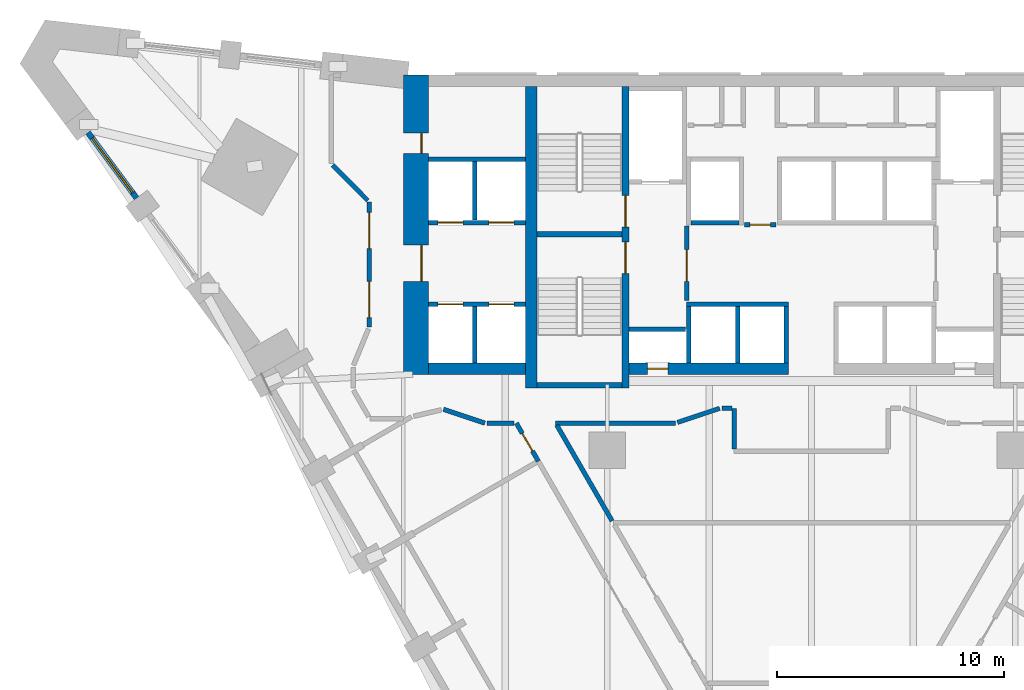
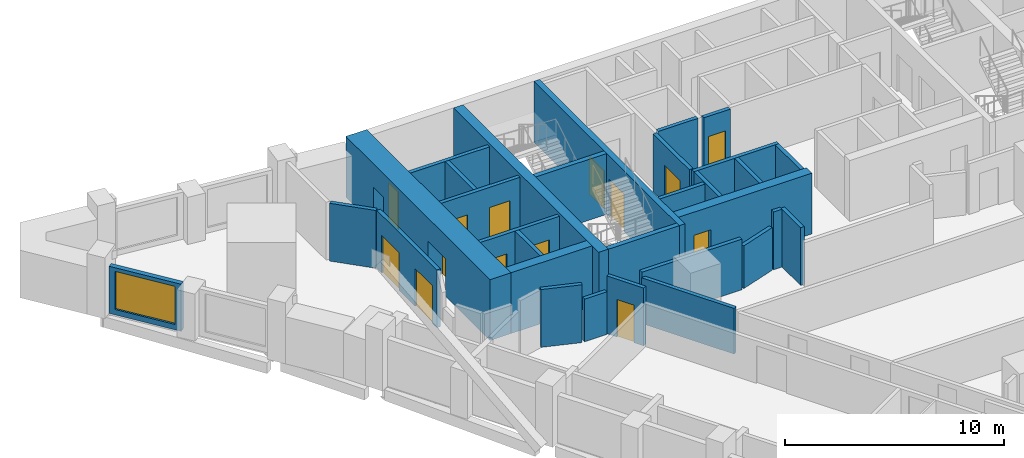
# One storey, part 6 of 11: 31 walls, 14 doors, 1 window, 15 openings.
"""IFC4 building model written with IfcOpenShell, lengths in metres."""

from ifc_helpers import new_model, si_unit, direction, frame, frame_2d, origin, place, context, subcontext, project, spatial, rectangle, extrude, material, layer, layer_set, type_object, element, fill, save


model = new_model("IFC4")

# Units and contexts
model_context = context("Model", 3, precision=1e-05, world=origin(), true_north=direction((0.0, 1.0)))
body_context = subcontext(model_context, "Body", "Model", "MODEL_VIEW")
ifc_project = project(units=[si_unit("LENGTHUNIT", "METRE"), si_unit("AREAUNIT", "SQUARE_METRE"), si_unit("VOLUMEUNIT", "CUBIC_METRE"), si_unit("PLANEANGLEUNIT", "RADIAN"), si_unit("MASSUNIT", "GRAM", prefix="KILO")], contexts=[model_context])

# Site, building, storey
site_placement = place(None, origin())
site = spatial("IfcSite", under=ifc_project, at=site_placement, CompositionType="ELEMENT")
building_placement = place(site_placement, origin())
building = spatial("IfcBuilding", under=site, at=building_placement, Name="Calabash Gate Tower", CompositionType="ELEMENT")
storey_placement = place(building_placement, frame((0.0, 0.0, 73.199951171875)))
storey = spatial("IfcBuildingStorey", under=building, at=storey_placement, Name="L14", CompositionType="ELEMENT", Elevation=73.199951171875)

# Wall, openings, doors
ifc_material_1 = material(Name="Concrete C80/95", Category="concrete")
ifc_layer_1 = layer(ifc_material_1, 1.10009765625)
ifc_layer_set_1 = layer_set([ifc_layer_1], Name="Core wall 1100 Concrete C80/95")
wall_type_1 = type_object("IfcWallType", Name="Core wall 1100 Concrete C80/95", PredefinedType="SHEAR", material=ifc_layer_set_1)
wall_1_placement = place(storey_placement, frame((-17.449951171875, 5.8525390625, 0.0), z_axis=(0.0, 0.0, 1.0), x_axis=(0.0, 1.0, 0.0)))
wall_1 = element("IfcWall", 1, at=wall_1_placement, inside=storey, type_object=wall_type_1, Name="Core wall Z1-ENDW L14", PredefinedType="SHEAR", context=body_context, shape_type="SweptSolid", body=[
    extrude(rectangle(XDim=13.199951171875, YDim=1.10009765625, at=frame_2d((6.60009765625, 0.0))), origin(), (0.0, 0.0, 1.0), 3.400146484375),
])
opening_1_placement = place(wall_1_placement, frame((4.10009765625, 0.0, 0.0)))
opening_1 = element("IfcOpeningElement", 2, at=opening_1_placement, cuts=wall_1, Name="Opening H3-003", PredefinedType="OPENING", context=body_context, shape_type="SweptSolid", body=[
    extrude(rectangle(XDim=1.60009765625, YDim=2.10009765625, at=frame_2d((0.800048828125, 1.050048828125))), frame((0.0, 0.56005859375, 0.0), z_axis=(0.0, -1.0, 0.0), x_axis=(1.0, 0.0, 0.0)), (0.0, 0.0, 1.0), 1.1201171875),
])
opening_2_placement = place(wall_1_placement, frame((9.75, 0.0, 0.0)))
opening_2 = element("IfcOpeningElement", 3, at=opening_2_placement, cuts=wall_1, Name="Opening H3-004", PredefinedType="OPENING", context=body_context, shape_type="SweptSolid", body=[
    extrude(rectangle(XDim=0.89990234375, YDim=2.10009765625, at=frame_2d((0.449951171875, 1.050048828125))), frame((0.0, 0.56005859375, 0.0), z_axis=(0.0, -1.0, 0.0), x_axis=(1.0, 0.0, 0.0)), (0.0, 0.0, 1.0), 1.1201171875),
])
ifc_material_2 = material(Name="Steel fire door set with fire-resisting glazing", Category="steel")
door_type_1 = type_object("IfcDoorType", Name="Double fire door D08 1600x2100 FD60", OperationType="DOUBLE_DOOR_SINGLE_SWING", PredefinedType="DOOR", material=ifc_material_2)
door_1_placement = place(opening_1_placement, origin())
door_1 = element("IfcDoor", 4, at=door_1_placement, inside=storey, type_object=door_type_1, Name="Low-rise Lift Lobby W door", OperationType="DOUBLE_DOOR_SINGLE_SWING", OverallHeight=2.10009765625, OverallWidth=1.60009765625, PredefinedType="DOOR", context=body_context, shape_type="SweptSolid", body=[
    extrude(rectangle(XDim=1.60009765625, YDim=2.10009765625, at=frame_2d((0.800048828125, 1.050048828125))), frame((0.0, -0.22509765625, 0.0), z_axis=(0.0, -1.0, 0.0), x_axis=(1.0, 0.0, 0.0)), (0.0, 0.0, 1.0), 0.050048828125),
])
fill(opening_1, door_1)
ifc_material_3 = material(Name="Steel fire door set with fire-resisting glazing", Category="steel")
door_type_2 = type_object("IfcDoorType", Name="Fire door D06 900x2100 FD60", OperationType="NOTDEFINED", PredefinedType="DOOR", material=ifc_material_3)
door_2_placement = place(opening_2_placement, origin())
door_2 = element("IfcDoor", 5, at=door_2_placement, inside=storey, type_object=door_type_2, Name="Hotel Pantry door", OperationType="SINGLE_SWING_RIGHT", OverallHeight=2.10009765625, OverallWidth=0.89990234375, PredefinedType="DOOR", context=body_context, shape_type="SweptSolid", body=[
    extrude(rectangle(XDim=0.89990234375, YDim=2.10009765625, at=frame_2d((0.449951171875, 1.050048828125))), frame((0.0, -0.22509765625, 0.0), z_axis=(0.0, -1.0, 0.0), x_axis=(1.0, 0.0, 0.0)), (0.0, 0.0, 1.0), 0.050048828125),
])
fill(opening_2, door_2)

# Walls
ifc_material_4 = material(Name="Concrete C80/95", Category="concrete")
ifc_layer_2 = layer(ifc_material_4, 0.25)
ifc_layer_set_2 = layer_set([ifc_layer_2], Name="Core wall 250 Concrete C80/95")
wall_type_2 = type_object("IfcWallType", Name="Core wall 250 Concrete C80/95", PredefinedType="SHEAR", material=ifc_layer_set_2)
for number, where, z_axis, x_axis, name in (
    (6, (-12.10009765625, 12.027587890625, 0.0), (0.0, 0.0, 1.0), (1.0, 0.0, 0.0), "Core wall Z1-MIDW L14"),
    (7, (-12.10009765625, 5.377685546875, 0.0), (0.0, 0.0, 1.0), (1.0, 0.0, 0.0), "Core wall Z1-SSW L14"),
):
    element("IfcWall", number, at=place(storey_placement, frame(where, z_axis=z_axis, x_axis=x_axis)), inside=storey, type_object=wall_type_2, Name=name, PredefinedType="SHEAR", context=body_context, shape_type="SweptSolid", body=[
        extrude(rectangle(XDim=3.75, YDim=0.25, at=frame_2d((1.875, 0.0))), origin(), (0.0, 0.0, 1.0), 3.400146484375),
    ])

# Wall, openings, doors
ifc_material_5 = material(Name="Concrete C80/95", Category="concrete")
ifc_layer_3 = layer(ifc_material_5, 0.300048828125)
ifc_layer_set_3 = layer_set([ifc_layer_3], Name="Core wall 300 Concrete C80/95")
wall_type_3 = type_object("IfcWallType", Name="Core wall 300 Concrete C80/95", PredefinedType="SHEAR", material=ifc_layer_set_3)
wall_2_placement = place(storey_placement, frame((-8.199951171875, 5.252685546875, 0.0), z_axis=(0.0, 0.0, 1.0), x_axis=(0.0, 1.0, 0.0)))
wall_2 = element("IfcWall", 8, at=wall_2_placement, inside=storey, type_object=wall_type_3, Name="Core wall Z1-PARTW L14", PredefinedType="SHEAR", context=body_context, shape_type="SweptSolid", body=[
    extrude(rectangle(XDim=13.2998046875, YDim=0.300048828125, at=frame_2d((6.64990234375, 0.0))), origin(), (0.0, 0.0, 1.0), 3.400146484375),
])
opening_3_placement = place(wall_2_placement, frame((7.10009765625, 0.0, 0.0)))
opening_3 = element("IfcOpeningElement", 9, at=opening_3_placement, cuts=wall_2, Name="Opening H3-015", PredefinedType="OPENING", context=body_context, shape_type="SweptSolid", body=[
    extrude(rectangle(XDim=1.39990234375, YDim=2.10009765625, at=frame_2d((0.699951171875, 1.050048828125))), frame((0.0, 0.159912109375, 0.0), z_axis=(0.0, -1.0, 0.0), x_axis=(1.0, 0.0, 0.0)), (0.0, 0.0, 1.0), 0.320068359375),
])
opening_4_placement = place(wall_2_placement, frame((5.050048828125, 0.0, 0.0)))
opening_4 = element("IfcOpeningElement", 10, at=opening_4_placement, cuts=wall_2, Name="Opening H3-016", PredefinedType="OPENING", context=body_context, shape_type="SweptSolid", body=[
    extrude(rectangle(XDim=1.39990234375, YDim=2.10009765625, at=frame_2d((0.699951171875, 1.050048828125))), frame((0.0, 0.159912109375, 0.0), z_axis=(0.0, -1.0, 0.0), x_axis=(1.0, 0.0, 0.0)), (0.0, 0.0, 1.0), 0.320068359375),
])
ifc_material_6 = material(Name="Steel fire door set with fire-resisting glazing", Category="steel")
door_type_3 = type_object("IfcDoorType", Name="Fire door D05 1400x2100 FD90", OperationType="NOTDEFINED", PredefinedType="DOOR", material=ifc_material_6)
door_3_placement = place(opening_3_placement, origin())
door_3 = element("IfcDoor", 11, at=door_3_placement, inside=storey, type_object=door_type_3, Name="Exit stair door ST1", OperationType="SINGLE_SWING_LEFT", OverallHeight=2.10009765625, OverallWidth=1.39990234375, PredefinedType="DOOR", context=body_context, shape_type="SweptSolid", body=[
    extrude(rectangle(XDim=1.39990234375, YDim=2.10009765625, at=frame_2d((0.699951171875, 1.050048828125))), frame((0.0, 0.02490234375, 0.0), z_axis=(0.0, -1.0, 0.0), x_axis=(1.0, 0.0, 0.0)), (0.0, 0.0, 1.0), 0.050048828125),
])
fill(opening_3, door_3)
door_4_placement = place(opening_4_placement, origin())
door_4 = element("IfcDoor", 12, at=door_4_placement, inside=storey, type_object=door_type_3, Name="Exit stair door ST2", OperationType="SINGLE_SWING_LEFT", OverallHeight=2.10009765625, OverallWidth=1.39990234375, PredefinedType="DOOR", context=body_context, shape_type="SweptSolid", body=[
    extrude(rectangle(XDim=1.39990234375, YDim=2.10009765625, at=frame_2d((0.699951171875, 1.050048828125))), frame((0.0, 0.02490234375, 0.0), z_axis=(0.0, -1.0, 0.0), x_axis=(1.0, 0.0, 0.0)), (0.0, 0.0, 1.0), 0.050048828125),
])
fill(opening_4, door_4)

# Wall
ifc_material_7 = material(Name="Concrete C80/95", Category="concrete")
ifc_layer_4 = layer(ifc_material_7, 0.5)
ifc_layer_set_4 = layer_set([ifc_layer_4], Name="Core wall 500 Concrete C80/95")
wall_type_4 = type_object("IfcWallType", Name="Core wall 500 Concrete C80/95", PredefinedType="SHEAR", material=ifc_layer_set_4)
wall_3_placement = place(storey_placement, frame((-12.35009765625, 5.252685546875, 0.0), z_axis=(0.0, 0.0, 1.0), x_axis=(0.0, 1.0, 0.0)))
element("IfcWall", 13, at=wall_3_placement, inside=storey, type_object=wall_type_4, Name="Core wall Z1-COLW L14", PredefinedType="SHEAR", context=body_context, shape_type="SweptSolid", body=[
    extrude(rectangle(XDim=13.2998046875, YDim=0.5, at=frame_2d((6.64990234375, 0.0))), origin(), (0.0, 0.0, 1.0), 3.400146484375),
])

# Wall, opening, door
wall_4_placement = place(storey_placement, frame((-8.050048828125, 6.1025390625, 0.0), z_axis=(0.0, 0.0, 1.0), x_axis=(1.0, 0.0, 0.0)))
wall_4 = element("IfcWall", 14, at=wall_4_placement, inside=storey, type_object=wall_type_4, Name="Core wall Z1-SA L14", PredefinedType="SHEAR", context=body_context, shape_type="SweptSolid", body=[
    extrude(rectangle(XDim=7.050048828125, YDim=0.5, at=frame_2d((3.52490234375, 0.0))), origin(), (0.0, 0.0, 1.0), 3.400146484375),
])
opening_5_placement = place(wall_4_placement, frame((0.824951171875, 0.0, 0.0)))
opening_5 = element("IfcOpeningElement", 15, at=opening_5_placement, cuts=wall_4, Name="Opening H3-014", PredefinedType="OPENING", context=body_context, shape_type="SweptSolid", body=[
    extrude(rectangle(XDim=0.89990234375, YDim=2.10009765625, at=frame_2d((0.449951171875, 1.050048828125))), frame((0.0, 0.260009765625, 0.0), z_axis=(0.0, -1.0, 0.0), x_axis=(1.0, 0.0, 0.0)), (0.0, 0.0, 1.0), 0.52001953125),
])
ifc_material_8 = material(Name="Steel fire door set with fire-resisting glazing", Category="steel")
door_type_4 = type_object("IfcDoorType", Name="Fire door D07 900x2100 FD90", OperationType="NOTDEFINED", PredefinedType="DOOR", material=ifc_material_8)
door_5_placement = place(opening_5_placement, origin())
door_5 = element("IfcDoor", 16, at=door_5_placement, inside=storey, type_object=door_type_4, Name="Electrical Riser W door", OperationType="SINGLE_SWING_LEFT", OverallHeight=2.10009765625, OverallWidth=0.89990234375, PredefinedType="DOOR", context=body_context, shape_type="SweptSolid", body=[
    extrude(rectangle(XDim=0.89990234375, YDim=2.10009765625, at=frame_2d((0.449951171875, 1.050048828125))), frame((0.0, 0.02490234375, 0.0), z_axis=(0.0, -1.0, 0.0), x_axis=(1.0, 0.0, 0.0)), (0.0, 0.0, 1.0), 0.050048828125),
])
fill(opening_5, door_5)

# Wall
wall_5_placement = place(storey_placement, frame((-12.60009765625, 6.1025390625, 0.0), z_axis=(0.0, 0.0, 1.0), x_axis=(-1.0, 0.0, 0.0)))
element("IfcWall", 17, at=wall_5_placement, inside=storey, type_object=wall_type_4, Name="Core wall Z1-SW L14", PredefinedType="SHEAR", context=body_context, shape_type="SweptSolid", body=[
    extrude(rectangle(XDim=4.2998046875, YDim=0.5, at=frame_2d((2.14990234375, 0.0))), origin(), (0.0, 0.0, 1.0), 3.400146484375),
])

# Wall, opening, door
ifc_material_9 = material(Name="Gypsum board on steel studs, mineral wool", Category="steel")
ifc_layer_5 = layer(ifc_material_9, 0.199951171875)
ifc_layer_set_5 = layer_set([ifc_layer_5], Name="Partition 200 gypsum board EI 60")
wall_type_5 = type_object("IfcWallType", Name="Partition 200 gypsum board EI 60", PredefinedType="PARTITIONING", material=ifc_layer_set_5)
wall_6_placement = place(storey_placement, frame((-13.0126953125, 3.699462890625, 0.0), z_axis=(0.0, 0.0, 1.0), x_axis=(0.499265012286, -0.866449333491, 0.0)))
wall_6 = element("IfcWall", 18, at=wall_6_placement, inside=storey, type_object=wall_type_5, Name="Partition", PredefinedType="PARTITIONING", context=body_context, shape_type="SweptSolid", body=[
    extrude(rectangle(XDim=1.94091796875, YDim=0.199951171875, at=frame_2d((0.970458984375, 0.0))), origin(), (0.0, 0.0, 1.0), 3.22998046875),
])
opening_6_placement = place(wall_6_placement, frame((0.5205078125, 0.0, 0.0)))
opening_6 = element("IfcOpeningElement", 19, at=opening_6_placement, cuts=wall_6, Name="Opening 12-14-021", PredefinedType="OPENING", context=body_context, shape_type="SweptSolid", body=[
    extrude(rectangle(XDim=0.89990234375, YDim=2.10009765625, at=frame_2d((0.449951171875, 1.050048828125))), frame((0.0, 0.10986328125, 0.0), z_axis=(0.0, -1.0, 0.0), x_axis=(1.0, 0.0, 0.0)), (0.0, 0.0, 1.0), 0.219970703125),
])
ifc_material_10 = material(Name="Steel fire door set with fire-resisting glazing", Category="steel")
door_type_5 = type_object("IfcDoorType", Name="SD3 Store door 900x2100", OperationType="NOTDEFINED", PredefinedType="DOOR", material=ifc_material_10)
door_6_placement = place(opening_6_placement, origin())
door_6 = element("IfcDoor", 20, at=door_6_placement, inside=storey, type_object=door_type_5, Name="Store door", OperationType="SINGLE_SWING_LEFT", OverallHeight=2.10009765625, OverallWidth=0.89990234375, PredefinedType="DOOR", context=body_context, shape_type="SweptSolid", body=[
    extrude(rectangle(XDim=0.89990234375, YDim=2.10009765625, at=frame_2d((0.449951171875, 1.050048828125))), frame((0.0, 0.02490234375, 0.0), z_axis=(0.0, -1.0, 0.0), x_axis=(1.0, 0.0, 0.0)), (0.0, 0.0, 1.0), 0.050048828125),
])
fill(opening_6, door_6)

# Walls
wall_7_placement = place(storey_placement, frame((-3.402099609375, 4.3505859375, 0.0), z_axis=(0.0, 0.0, 1.0), x_axis=(0.001086217961, -0.999999410065, 0.0)))
element("IfcWall", 21, at=wall_7_placement, inside=storey, type_object=wall_type_5, Name="Partition", PredefinedType="PARTITIONING", context=body_context, shape_type="SweptSolid", body=[
    extrude(rectangle(XDim=1.798095703125, YDim=0.199951171875, at=frame_2d((0.89892578125, 0.0))), origin(), (0.0, 0.0, 1.0), 3.22998046875),
])
wall_8_placement = place(storey_placement, frame((-11.22998046875, 3.61328125, 0.0), z_axis=(0.0, 0.0, 1.0), x_axis=(0.49997195544, -0.866041594713, 0.0)))
element("IfcWall", 22, at=wall_8_placement, inside=storey, type_object=wall_type_5, Name="Partition", PredefinedType="PARTITIONING", context=body_context, shape_type="SweptSolid", body=[
    extrude(rectangle(XDim=4.884521484375, YDim=0.199951171875, at=frame_2d((2.4423828125, 0.0))), origin(), (0.0, 0.0, 1.0), 2.552001953125),
])
wall_9_placement = place(storey_placement, frame((-16.228515625, 4.30908203125, 0.0), z_axis=(0.0, 0.0, 1.0), x_axis=(0.948657960303, -0.316303769112, 0.0)))
element("IfcWall", 23, at=wall_9_placement, inside=storey, type_object=wall_type_5, Name="Partition", PredefinedType="PARTITIONING", context=body_context, shape_type="SweptSolid", body=[
    extrude(rectangle(XDim=1.92724609375, YDim=0.199951171875, at=frame_2d((0.963623046875, 0.0))), origin(), (0.0, 0.0, 1.0), 3.22998046875),
])
wall_10_placement = place(storey_placement, frame((-14.30029296875, 3.699462890625, 0.0), z_axis=(0.0, 0.0, 1.0), x_axis=(1.0, 0.0, 0.0)))
element("IfcWall", 24, at=wall_10_placement, inside=storey, type_object=wall_type_5, Name="Partition", PredefinedType="PARTITIONING", context=body_context, shape_type="SweptSolid", body=[
    extrude(rectangle(XDim=1.1875, YDim=0.199951171875, at=frame_2d((0.59375, 0.0))), origin(), (0.0, 0.0, 1.0), 2.384033203125),
])
wall_11_placement = place(storey_placement, frame((-11.280029296875, 3.69970703125, 0.0), z_axis=(0.0, 0.0, 1.0), x_axis=(1.0, 0.0, 0.0)))
element("IfcWall", 25, at=wall_11_placement, inside=storey, type_object=wall_type_5, Name="Partition", PredefinedType="PARTITIONING", context=body_context, shape_type="SweptSolid", body=[
    extrude(rectangle(XDim=5.280029296875, YDim=0.199951171875, at=frame_2d((2.64013671875, 0.0))), origin(), (0.0, 0.0, 1.0), 2.83154296875),
])
wall_12_placement = place(storey_placement, frame((-5.905029296875, 3.7314453125, 0.0), z_axis=(0.0, 0.0, 1.0), x_axis=(0.948695731075, 0.316190464499, 0.0)))
element("IfcWall", 26, at=wall_12_placement, inside=storey, type_object=wall_type_5, Name="Partition", PredefinedType="PARTITIONING", context=body_context, shape_type="SweptSolid", body=[
    extrude(rectangle(XDim=1.963623046875, YDim=0.199951171875, at=frame_2d((0.98193359375, 0.0))), origin(), (0.0, 0.0, 1.0), 2.384033203125),
])
wall_13_placement = place(storey_placement, frame((-3.9423828125, 4.35205078125, 0.0), z_axis=(0.0, 0.0, 1.0), x_axis=(0.999996159087, -0.00277160798, 0.0)))
element("IfcWall", 27, at=wall_13_placement, inside=storey, type_object=wall_type_5, Name="Partition", PredefinedType="PARTITIONING", context=body_context, shape_type="SweptSolid", body=[
    extrude(rectangle(XDim=0.4404296875, YDim=0.199951171875, at=frame_2d((0.22021484375, 0.0))), origin(), (0.0, 0.0, 1.0), 3.22998046875),
])

# Wall, openings, doors
wall_14_placement = place(storey_placement, frame((-19.50048828125, 7.95263671875, 0.0), z_axis=(0.0, 0.0, 1.0), x_axis=(0.0, 1.0, 0.0)))
wall_14 = element("IfcWall", 28, at=wall_14_placement, inside=storey, type_object=wall_type_5, Name="Partition", PredefinedType="PARTITIONING", context=body_context, shape_type="SweptSolid", body=[
    extrude(rectangle(XDim=5.499755859375, YDim=0.199951171875, at=frame_2d((2.75, 0.0))), origin(), (0.0, 0.0, 1.0), 3.22998046875),
])
opening_7_placement = place(wall_14_placement, frame((0.39990234375, 0.0, 0.0)))
opening_7 = element("IfcOpeningElement", 29, at=opening_7_placement, cuts=wall_14, Name="Opening 12-14-019", PredefinedType="OPENING", context=body_context, shape_type="SweptSolid", body=[
    extrude(rectangle(XDim=1.60009765625, YDim=2.10009765625, at=frame_2d((0.800048828125, 1.050048828125))), frame((0.0, 0.10986328125, 0.0), z_axis=(0.0, -1.0, 0.0), x_axis=(1.0, 0.0, 0.0)), (0.0, 0.0, 1.0), 0.219970703125),
])
opening_8_placement = place(wall_14_placement, frame((3.449462890625, 0.0, 0.0)))
opening_8 = element("IfcOpeningElement", 30, at=opening_8_placement, cuts=wall_14, Name="Opening 12-14-020", PredefinedType="OPENING", context=body_context, shape_type="SweptSolid", body=[
    extrude(rectangle(XDim=1.60009765625, YDim=2.10009765625, at=frame_2d((0.800048828125, 1.050048828125))), frame((0.0, 0.10986328125, 0.0), z_axis=(0.0, -1.0, 0.0), x_axis=(1.0, 0.0, 0.0)), (0.0, 0.0, 1.0), 0.219970703125),
])
ifc_material_11 = material(Name="Steel fire door set with fire-resisting glazing", Category="steel")
door_type_6 = type_object("IfcDoorType", Name="LD1 Lounge double door 1600x2100", OperationType="NOTDEFINED", PredefinedType="DOOR", material=ifc_material_11)
door_7_placement = place(opening_7_placement, origin())
door_7 = element("IfcDoor", 31, at=door_7_placement, inside=storey, type_object=door_type_6, Name="Lounge double door", OperationType="DOUBLE_DOOR_SINGLE_SWING", OverallHeight=2.10009765625, OverallWidth=1.60009765625, PredefinedType="DOOR", context=body_context, shape_type="SweptSolid", body=[
    extrude(rectangle(XDim=1.60009765625, YDim=2.10009765625, at=frame_2d((0.800048828125, 1.050048828125))), frame((0.0, 0.02490234375, 0.0), z_axis=(0.0, -1.0, 0.0), x_axis=(1.0, 0.0, 0.0)), (0.0, 0.0, 1.0), 0.050048828125),
])
fill(opening_7, door_7)
door_8_placement = place(opening_8_placement, origin())
door_8 = element("IfcDoor", 32, at=door_8_placement, inside=storey, type_object=door_type_6, Name="Lounge double door", OperationType="DOUBLE_DOOR_SINGLE_SWING", OverallHeight=2.10009765625, OverallWidth=1.60009765625, PredefinedType="DOOR", context=body_context, shape_type="SweptSolid", body=[
    extrude(rectangle(XDim=1.60009765625, YDim=2.10009765625, at=frame_2d((0.800048828125, 1.050048828125))), frame((0.0, 0.02490234375, 0.0), z_axis=(0.0, -1.0, 0.0), x_axis=(1.0, 0.0, 0.0)), (0.0, 0.0, 1.0), 0.050048828125),
])
fill(opening_8, door_8)

# Wall
wall_15_placement = place(storey_placement, frame((-21.115234375, 15.08154296875, 0.0), z_axis=(0.0, 0.0, 1.0), x_axis=(0.703983957636, -0.710215873796, 0.0)))
element("IfcWall", 33, at=wall_15_placement, inside=storey, type_object=wall_type_5, Name="Partition", PredefinedType="PARTITIONING", context=body_context, shape_type="SweptSolid", body=[
    extrude(rectangle(XDim=2.19384765625, YDim=0.199951171875, at=frame_2d((1.096923828125, 0.0))), origin(), (0.0, 0.0, 1.0), 3.22998046875),
])

# Wall, opening, window
ifc_material_12 = material(Name="Aluminium framed window wall with insulated spandrel", Category="aluminium")
ifc_layer_6 = layer(ifc_material_12, 0.25)
ifc_layer_set_6 = layer_set([ifc_layer_6], Name="Prow window wall 250")
wall_type_6 = type_object("IfcWallType", Name="Prow window wall 250", PredefinedType="ELEMENTEDWALL", material=ifc_layer_set_6)
wall_16_placement = place(storey_placement, frame((-31.913818359375, 16.521484375, 0.0), z_axis=(0.0, 0.0, 1.0), x_axis=(0.595258366654, -0.803534365742, 0.0)))
wall_16 = element("IfcWall", 34, at=wall_16_placement, inside=storey, type_object=wall_type_6, Name="Prow window wall S03 wedge7.1", PredefinedType="ELEMENTEDWALL", context=body_context, shape_type="SweptSolid", body=[
    extrude(rectangle(XDim=3.599853515625, YDim=0.25, at=frame_2d((1.7998046875, 0.0))), origin(), (0.0, 0.0, 1.0), 2.630126953125),
])
opening_9_placement = place(wall_16_placement, frame((0.300048828125, 0.0, 0.300048828125)))
opening_9 = element("IfcOpeningElement", 35, at=opening_9_placement, cuts=wall_16, Name="Opening WP1L-2130", PredefinedType="OPENING", context=body_context, shape_type="SweptSolid", body=[
    extrude(rectangle(XDim=3.0, YDim=2.1298828125, at=frame_2d((1.5, 1.06494140625))), frame((0.0, 0.135009765625, 0.0), z_axis=(0.0, -1.0, 0.0), x_axis=(1.0, 0.0, 0.0)), (0.0, 0.0, 1.0), 0.27001953125),
])
ifc_material_13 = material(Name="Anodised aluminium frame, bronze finish, impact-rated laminated clear glazing", Category="aluminium")
window_type = type_object("IfcWindowType", Name="Window WP1L 3000x2130", PartitioningType="DOUBLE_PANEL_VERTICAL", PredefinedType="WINDOW", material=ifc_material_13)
window_placement = place(opening_9_placement, origin())
window = element("IfcWindow", 36, at=window_placement, inside=storey, type_object=window_type, Name="Prow window WP1L S03 wedge7.1", OverallHeight=2.1298828125, OverallWidth=3.0, PartitioningType="SINGLE_PANEL", PredefinedType="WINDOW", context=body_context, shape_type="SweptSolid", body=[
    extrude(rectangle(XDim=3.0, YDim=2.1298828125, at=frame_2d((1.5, 1.06494140625))), frame((0.0, 0.030029296875, 0.0), z_axis=(0.0, -1.0, 0.0), x_axis=(1.0, 0.0, 0.0)), (0.0, 0.0, 1.0), 0.06005859375),
])
fill(opening_9, window)

# Walls
ifc_material_14 = material(Name="Concrete C40/50", Category="concrete")
ifc_layer_7 = layer(ifc_material_14, 0.199951171875)
ifc_layer_set_7 = layer_set([ifc_layer_7], Name="Shaft wall 200 Concrete C40/50")
wall_type_7 = type_object("IfcWallType", Name="Shaft wall 200 Concrete C40/50", PredefinedType="SOLIDWALL", material=ifc_layer_set_7)
for number, where, z_axis, x_axis, name in (
    (37, (-14.85009765625, 6.3525390625, 0.0), (0.0, 0.0, 1.0), (0.0, 1.0, 0.0), "Shaft wall"),
    (38, (-5.39990234375, 6.3525390625, 0.0), (0.0, 0.0, 1.0), (0.0, 1.0, 0.0), "Shaft wall"),
    (39, (-3.25, 6.3525390625, 0.0), (0.0, 0.0, 1.0), (0.0, 1.0, 0.0), "Shaft wall"),
    (40, (-1.10009765625, 6.3525390625, 0.0), (0.0, 0.0, 1.0), (0.0, 1.0, 0.0), "Shaft wall"),
    (41, (-8.050048828125, 7.8525390625, 0.0), (0.0, 0.0, 1.0), (1.0, 0.0, 0.0), "Shaft wall"),
):
    element("IfcWall", number, at=place(storey_placement, frame(where, z_axis=z_axis, x_axis=x_axis)), inside=storey, type_object=wall_type_7, Name=name, PredefinedType="SOLIDWALL", context=body_context, shape_type="SweptSolid", body=[
        extrude(rectangle(XDim=2.5, YDim=0.199951171875, at=frame_2d((1.25, 0.0))), origin(), (0.0, 0.0, 1.0), 3.22998046875),
    ])

# Wall, openings, doors
wall_17_placement = place(storey_placement, frame((-16.89990234375, 8.95263671875, 0.0), z_axis=(0.0, 0.0, 1.0), x_axis=(1.0, 0.0, 0.0)))
wall_17 = element("IfcWall", 42, at=wall_17_placement, inside=storey, type_object=wall_type_7, Name="Shaft wall", PredefinedType="SOLIDWALL", context=body_context, shape_type="SweptSolid", body=[
    extrude(rectangle(XDim=4.2998046875, YDim=0.199951171875, at=frame_2d((2.14990234375, 0.0))), origin(), (0.0, 0.0, 1.0), 3.22998046875),
])
opening_10_placement = place(wall_17_placement, frame((2.675048828125, 0.0, 0.0)))
opening_10 = element("IfcOpeningElement", 43, at=opening_10_placement, cuts=wall_17, Name="Opening LD-LR1", PredefinedType="OPENING", context=body_context, shape_type="SweptSolid", body=[
    extrude(rectangle(XDim=1.10009765625, YDim=2.10009765625, at=frame_2d((0.550048828125, 1.050048828125))), frame((0.0, 0.10986328125, 0.0), z_axis=(0.0, -1.0, 0.0), x_axis=(1.0, 0.0, 0.0)), (0.0, 0.0, 1.0), 0.219970703125),
])
opening_11_placement = place(wall_17_placement, frame((0.425048828125, 0.0, 0.0)))
opening_11 = element("IfcOpeningElement", 44, at=opening_11_placement, cuts=wall_17, Name="Opening LD-LR2", PredefinedType="OPENING", context=body_context, shape_type="SweptSolid", body=[
    extrude(rectangle(XDim=1.10009765625, YDim=2.10009765625, at=frame_2d((0.550048828125, 1.050048828125))), frame((0.0, 0.10986328125, 0.0), z_axis=(0.0, -1.0, 0.0), x_axis=(1.0, 0.0, 0.0)), (0.0, 0.0, 1.0), 0.219970703125),
])
ifc_material_15 = material(Name="Stainless steel sliding door leaves", Category="steel")
door_type_7 = type_object("IfcDoorType", Name="Lift landing door LS1 1100x2100 FD90", OperationType="DOUBLE_DOOR_SLIDING", PredefinedType="DOOR", material=ifc_material_15)
door_9_placement = place(opening_10_placement, origin())
door_9 = element("IfcDoor", 45, at=door_9_placement, inside=storey, type_object=door_type_7, Name="Lift landing door LR1", OperationType="DOUBLE_DOOR_SLIDING", OverallHeight=2.10009765625, OverallWidth=1.10009765625, PredefinedType="DOOR", context=body_context, shape_type="SweptSolid", body=[
    extrude(rectangle(XDim=1.10009765625, YDim=2.10009765625, at=frame_2d((0.550048828125, 1.050048828125))), frame((0.0, 0.02490234375, 0.0), z_axis=(0.0, -1.0, 0.0), x_axis=(1.0, 0.0, 0.0)), (0.0, 0.0, 1.0), 0.050048828125),
])
fill(opening_10, door_9)
door_10_placement = place(opening_11_placement, origin())
door_10 = element("IfcDoor", 46, at=door_10_placement, inside=storey, type_object=door_type_7, Name="Lift landing door LR2", OperationType="DOUBLE_DOOR_SLIDING", OverallHeight=2.10009765625, OverallWidth=1.10009765625, PredefinedType="DOOR", context=body_context, shape_type="SweptSolid", body=[
    extrude(rectangle(XDim=1.10009765625, YDim=2.10009765625, at=frame_2d((0.550048828125, 1.050048828125))), frame((0.0, 0.02490234375, 0.0), z_axis=(0.0, -1.0, 0.0), x_axis=(1.0, 0.0, 0.0)), (0.0, 0.0, 1.0), 0.050048828125),
])
fill(opening_11, door_10)

# Wall
wall_18_placement = place(storey_placement, frame((-5.5, 8.95263671875, 0.0), z_axis=(0.0, 0.0, 1.0), x_axis=(1.0, 0.0, 0.0)))
element("IfcWall", 47, at=wall_18_placement, inside=storey, type_object=wall_type_7, Name="Shaft wall", PredefinedType="SOLIDWALL", context=body_context, shape_type="SweptSolid", body=[
    extrude(rectangle(XDim=4.5, YDim=0.199951171875, at=frame_2d((2.25, 0.0))), origin(), (0.0, 0.0, 1.0), 3.22998046875),
])

# Wall, opening, door
wall_19_placement = place(storey_placement, frame((-5.5, 9.1025390625, 0.0), z_axis=(0.0, 0.0, 1.0), x_axis=(0.0, 1.0, 0.0)))
wall_19 = element("IfcWall", 48, at=wall_19_placement, inside=storey, type_object=wall_type_7, Name="Shaft wall", PredefinedType="SOLIDWALL", context=body_context, shape_type="SweptSolid", body=[
    extrude(rectangle(XDim=3.300048828125, YDim=0.199951171875, at=frame_2d((1.64990234375, 0.0))), origin(), (0.0, 0.0, 1.0), 3.22998046875),
])
opening_12_placement = place(wall_19_placement, frame((0.85009765625, 0.0, 0.0)))
opening_12 = element("IfcOpeningElement", 49, at=opening_12_placement, cuts=wall_19, Name="Opening H3-007", PredefinedType="OPENING", context=body_context, shape_type="SweptSolid", body=[
    extrude(rectangle(XDim=1.39990234375, YDim=2.10009765625, at=frame_2d((0.699951171875, 1.050048828125))), frame((0.0, 0.10986328125, 0.0), z_axis=(0.0, -1.0, 0.0), x_axis=(1.0, 0.0, 0.0)), (0.0, 0.0, 1.0), 0.219970703125),
])
door_11_placement = place(opening_12_placement, origin())
door_11 = element("IfcDoor", 50, at=door_11_placement, inside=storey, type_object=door_type_3, Name="Firefighting Lobby W door", OperationType="SINGLE_SWING_RIGHT", OverallHeight=2.10009765625, OverallWidth=1.39990234375, PredefinedType="DOOR", context=body_context, shape_type="SweptSolid", body=[
    extrude(rectangle(XDim=1.39990234375, YDim=2.10009765625, at=frame_2d((0.699951171875, 1.050048828125))), frame((0.0, 0.02490234375, 0.0), z_axis=(0.0, -1.0, 0.0), x_axis=(1.0, 0.0, 0.0)), (0.0, 0.0, 1.0), 0.050048828125),
])
fill(opening_12, door_11)

wall_20_placement = place(storey_placement, frame((-2.949951171875, 12.45263671875, 0.0), z_axis=(0.0, 0.0, 1.0), x_axis=(1.0, 0.0, 0.0)))
wall_20 = element("IfcWall", 51, at=wall_20_placement, inside=storey, type_object=wall_type_7, Name="Shaft wall", PredefinedType="SOLIDWALL", context=body_context, shape_type="SweptSolid", body=[
    extrude(rectangle(XDim=1.39990234375, YDim=0.199951171875, at=frame_2d((0.699951171875, 0.0))), origin(), (0.0, 0.0, 1.0), 3.22998046875),
])
opening_13_placement = place(wall_20_placement, frame((0.25, 0.0, 0.0)))
opening_13 = element("IfcOpeningElement", 52, at=opening_13_placement, cuts=wall_20, Name="Opening H3-005", PredefinedType="OPENING", context=body_context, shape_type="SweptSolid", body=[
    extrude(rectangle(XDim=0.89990234375, YDim=2.10009765625, at=frame_2d((0.449951171875, 1.050048828125))), frame((0.0, 0.10986328125, 0.0), z_axis=(0.0, -1.0, 0.0), x_axis=(1.0, 0.0, 0.0)), (0.0, 0.0, 1.0), 0.219970703125),
])
door_12_placement = place(opening_13_placement, origin())
door_12 = element("IfcDoor", 53, at=door_12_placement, inside=storey, type_object=door_type_2, Name="Service Corridor door", OperationType="SINGLE_SWING_RIGHT", OverallHeight=2.10009765625, OverallWidth=0.89990234375, PredefinedType="DOOR", context=body_context, shape_type="SweptSolid", body=[
    extrude(rectangle(XDim=0.89990234375, YDim=2.10009765625, at=frame_2d((0.449951171875, 1.050048828125))), frame((0.0, 0.02490234375, 0.0), z_axis=(0.0, -1.0, 0.0), x_axis=(1.0, 0.0, 0.0)), (0.0, 0.0, 1.0), 0.050048828125),
])
fill(opening_13, door_12)

# Wall, openings, doors
wall_21_placement = place(storey_placement, frame((-16.89990234375, 12.552490234375, 0.0), z_axis=(0.0, 0.0, 1.0), x_axis=(1.0, 0.0, 0.0)))
wall_21 = element("IfcWall", 54, at=wall_21_placement, inside=storey, type_object=wall_type_7, Name="Shaft wall", PredefinedType="SOLIDWALL", context=body_context, shape_type="SweptSolid", body=[
    extrude(rectangle(XDim=4.2998046875, YDim=0.199951171875, at=frame_2d((2.14990234375, 0.0))), origin(), (0.0, 0.0, 1.0), 3.22998046875),
])
opening_14_placement = place(wall_21_placement, frame((2.675048828125, 0.0, 0.0)))
opening_14 = element("IfcOpeningElement", 55, at=opening_14_placement, cuts=wall_21, Name="Opening LD-LR3", PredefinedType="OPENING", context=body_context, shape_type="SweptSolid", body=[
    extrude(rectangle(XDim=1.10009765625, YDim=2.10009765625, at=frame_2d((0.550048828125, 1.050048828125))), frame((0.0, 0.10986328125, 0.0), z_axis=(0.0, -1.0, 0.0), x_axis=(1.0, 0.0, 0.0)), (0.0, 0.0, 1.0), 0.219970703125),
])
opening_15_placement = place(wall_21_placement, frame((0.425048828125, 0.0, 0.0)))
opening_15 = element("IfcOpeningElement", 56, at=opening_15_placement, cuts=wall_21, Name="Opening LD-LR4", PredefinedType="OPENING", context=body_context, shape_type="SweptSolid", body=[
    extrude(rectangle(XDim=1.10009765625, YDim=2.10009765625, at=frame_2d((0.550048828125, 1.050048828125))), frame((0.0, 0.10986328125, 0.0), z_axis=(0.0, -1.0, 0.0), x_axis=(1.0, 0.0, 0.0)), (0.0, 0.0, 1.0), 0.219970703125),
])
door_13_placement = place(opening_14_placement, origin())
door_13 = element("IfcDoor", 57, at=door_13_placement, inside=storey, type_object=door_type_7, Name="Lift landing door LR3", OperationType="DOUBLE_DOOR_SLIDING", OverallHeight=2.10009765625, OverallWidth=1.10009765625, PredefinedType="DOOR", context=body_context, shape_type="SweptSolid", body=[
    extrude(rectangle(XDim=1.10009765625, YDim=2.10009765625, at=frame_2d((0.550048828125, 1.050048828125))), frame((0.0, 0.02490234375, 0.0), z_axis=(0.0, -1.0, 0.0), x_axis=(1.0, 0.0, 0.0)), (0.0, 0.0, 1.0), 0.050048828125),
])
fill(opening_14, door_13)
door_14_placement = place(opening_15_placement, origin())
door_14 = element("IfcDoor", 58, at=door_14_placement, inside=storey, type_object=door_type_7, Name="Lift landing door LR4", OperationType="DOUBLE_DOOR_SLIDING", OverallHeight=2.10009765625, OverallWidth=1.10009765625, PredefinedType="DOOR", context=body_context, shape_type="SweptSolid", body=[
    extrude(rectangle(XDim=1.10009765625, YDim=2.10009765625, at=frame_2d((0.550048828125, 1.050048828125))), frame((0.0, 0.02490234375, 0.0), z_axis=(0.0, -1.0, 0.0), x_axis=(1.0, 0.0, 0.0)), (0.0, 0.0, 1.0), 0.050048828125),
])
fill(opening_15, door_14)

# Walls
wall_22_placement = place(storey_placement, frame((-5.300048828125, 12.552490234375, 0.0), z_axis=(0.0, 0.0, 1.0), x_axis=(1.0, 0.0, 0.0)))
element("IfcWall", 59, at=wall_22_placement, inside=storey, type_object=wall_type_7, Name="Shaft wall", PredefinedType="SOLIDWALL", context=body_context, shape_type="SweptSolid", body=[
    extrude(rectangle(XDim=2.10009765625, YDim=0.199951171875, at=frame_2d((1.050048828125, 0.0))), origin(), (0.0, 0.0, 1.0), 3.22998046875),
])
wall_23_placement = place(storey_placement, frame((-14.85009765625, 12.652587890625, 0.0), z_axis=(0.0, 0.0, 1.0), x_axis=(0.0, 1.0, 0.0)))
element("IfcWall", 60, at=wall_23_placement, inside=storey, type_object=wall_type_7, Name="Shaft wall", PredefinedType="SOLIDWALL", context=body_context, shape_type="SweptSolid", body=[
    extrude(rectangle(XDim=2.60009765625, YDim=0.199951171875, at=frame_2d((1.300048828125, 0.0))), origin(), (0.0, 0.0, 1.0), 3.22998046875),
])
wall_24_placement = place(storey_placement, frame((-16.89990234375, 15.3525390625, 0.0), z_axis=(0.0, 0.0, 1.0), x_axis=(1.0, 0.0, 0.0)))
element("IfcWall", 61, at=wall_24_placement, inside=storey, type_object=wall_type_7, Name="Shaft wall", PredefinedType="SOLIDWALL", context=body_context, shape_type="SweptSolid", body=[
    extrude(rectangle(XDim=4.2998046875, YDim=0.199951171875, at=frame_2d((2.14990234375, 0.0))), origin(), (0.0, 0.0, 1.0), 3.22998046875),
])

save(model, "model.ifc")
